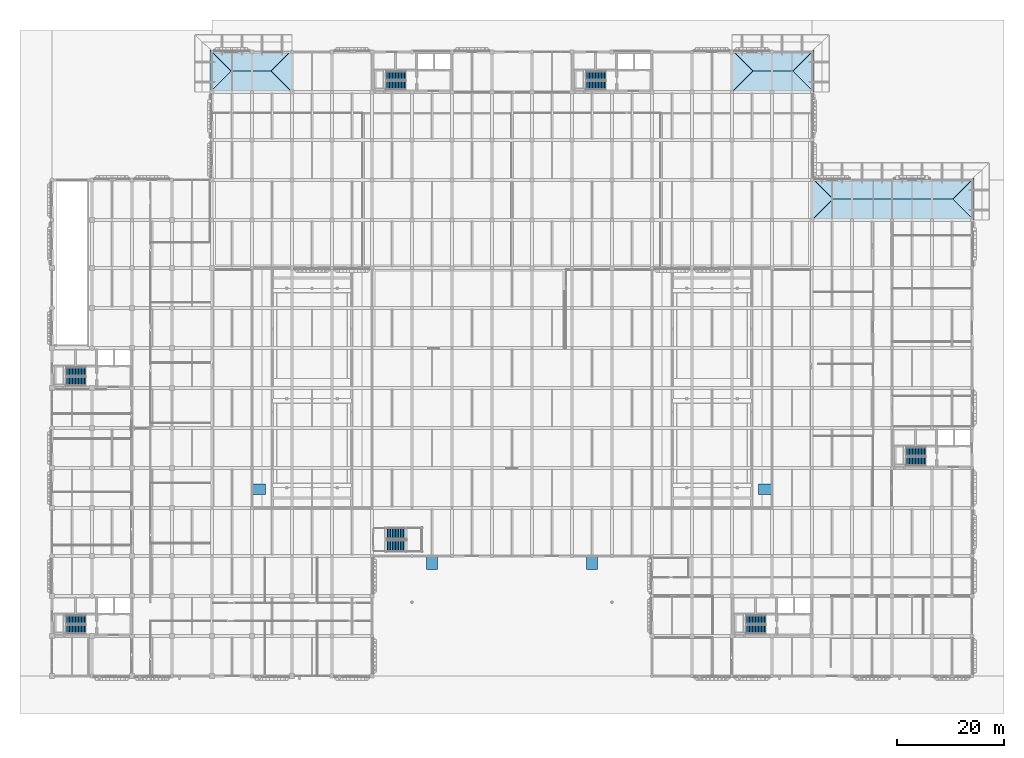
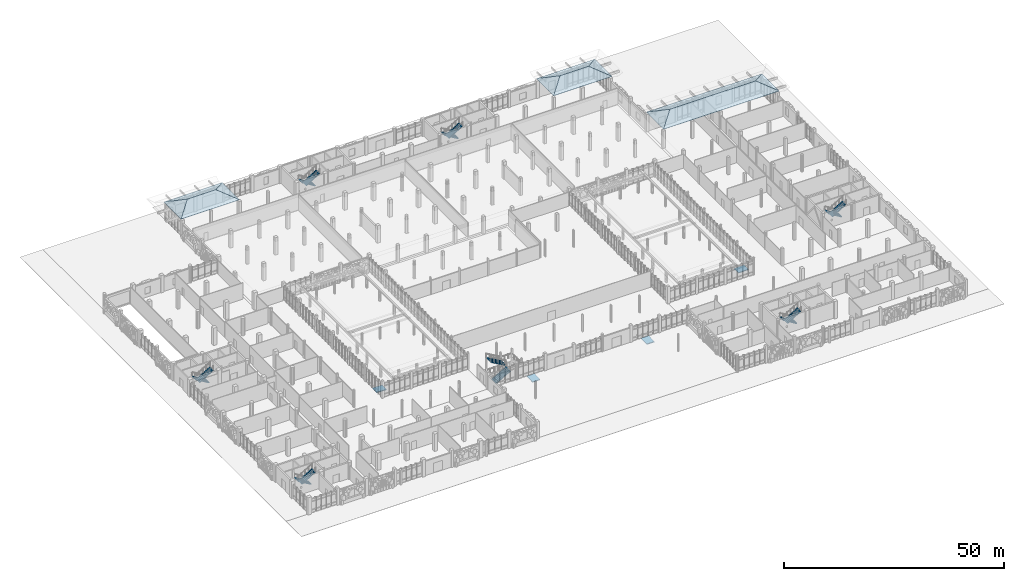
# One storey, part 100 of 125: 14 stair flights, 12 roofs, 4 ramp flights, 11 elements without a shape of their own.
"""IFC4 building model written with IfcOpenShell, lengths in metres."""

from ifc_helpers import new_model, si_unit, direction, frame, origin, place, context, subcontext, project, spatial, polyline, outline, extrude, material, layer, layer_set, type_object, element, aggregate, save


model = new_model("IFC4")

# Units and contexts
model_context = context("Model", 3, precision=1e-05, world=origin(), true_north=direction((0.0, 1.0)))
body_context = subcontext(model_context, "Body", "Model", "MODEL_VIEW")
ifc_project = project(units=[si_unit("LENGTHUNIT", "METRE"), si_unit("AREAUNIT", "SQUARE_METRE"), si_unit("VOLUMEUNIT", "CUBIC_METRE"), si_unit("PLANEANGLEUNIT", "RADIAN"), si_unit("MASSUNIT", "GRAM", prefix="KILO")], contexts=[model_context])

# Site, building, storey
site_placement = place(None, origin())
site = spatial("IfcSite", under=ifc_project, at=site_placement, CompositionType="ELEMENT")
building_placement = place(site_placement, origin())
building = spatial("IfcBuilding", under=site, at=building_placement, Name="Dalvernix Boulevard General Hospital", CompositionType="ELEMENT")
storey_placement = place(building_placement, origin())
storey = spatial("IfcBuildingStorey", under=building, at=storey_placement, Name="L00", CompositionType="ELEMENT", Elevation=0.0)

# Stair, stair flights
ifc_material_1 = material(Name="Precast concrete C40/50", Category="concrete")
stair_type_1 = type_object("IfcStairType", Name="IFCSTAIR-STC-165x480", PredefinedType="HALF_TURN_STAIR", material=ifc_material_1)
stair_1_placement = place(storey_placement, origin())
stair_1 = element("IfcStair", 1, at=stair_1_placement, inside=storey, type_object=stair_type_1, Name="L00 Core C1 Exit Stair ST-01", PredefinedType="HALF_TURN_STAIR")
stair_flight_type_1 = type_object("IfcStairFlightType", Name="IFCSTAIRFLIGHT-STF-165x480", PredefinedType="STRAIGHT", material=ifc_material_1)
stair_flight_1_placement = place(storey_placement, frame((6.35009765625, 10.574951171875, 0.0), z_axis=(0.0, 0.0, 1.0), x_axis=(-1.0, 0.0, 0.0)))
stair_flight_1 = element("IfcStairFlight", 2, at=stair_flight_1_placement, type_object=stair_flight_type_1, Name="ST-01 flight 1", NumberOfRisers=14, NumberOfTreads=13, PredefinedType="STRAIGHT", RiserHeight=0.171428571, TreadLength=0.28, context=body_context, shape_type="SweptSolid", body=[
    extrude(outline(polyline([(0.0, 0.0), (0.0, 0.17138671875), (0.280029296875, 0.17138671875), (0.280029296875, 0.3427734375), (0.56005859375, 0.3427734375), (0.56005859375, 0.514404296875), (0.840087890625, 0.514404296875), (0.840087890625, 0.685791015625), (1.1201171875, 0.685791015625), (1.1201171875, 0.857177734375), (1.39990234375, 0.857177734375), (1.39990234375, 1.028564453125), (1.679931640625, 1.028564453125), (1.679931640625, 1.199951171875), (1.9599609375, 1.199951171875), (1.9599609375, 1.371337890625), (2.239990234375, 1.371337890625), (2.239990234375, 1.54296875), (2.52001953125, 1.54296875), (2.52001953125, 1.71435546875), (2.800048828125, 1.71435546875), (2.800048828125, 1.8857421875), (3.080078125, 1.8857421875), (3.080078125, 2.05712890625), (3.360107421875, 2.05712890625), (3.360107421875, 2.228515625), (3.639892578125, 2.228515625), (3.639892578125, 2.39990234375), (3.639892578125, 2.052734375), (0.287109375, 0.0), (0.0, 0.0)])), frame((0.0, 0.824951171875, 0.0), z_axis=(0.0, -1.0, 0.0), x_axis=(1.0, 0.0, 0.0)), (0.0, 0.0, 1.0), 1.64990234375),
])
stair_flight_2_placement = place(storey_placement, frame((2.7099609375, 8.72509765625, 2.39990234375), z_axis=(0.0, 0.0, 1.0), x_axis=(1.0, 0.0, 0.0)))
stair_flight_2 = element("IfcStairFlight", 3, at=stair_flight_2_placement, type_object=stair_flight_type_1, Name="ST-01 flight 2", NumberOfRisers=14, NumberOfTreads=13, PredefinedType="STRAIGHT", RiserHeight=0.171428571, TreadLength=0.28, context=body_context, shape_type="SweptSolid", body=[
    extrude(outline(polyline([(0.0, 0.0), (0.0, 0.17138671875), (0.280029296875, 0.17138671875), (0.280029296875, 0.3427734375), (0.56005859375, 0.3427734375), (0.56005859375, 0.514404296875), (0.840087890625, 0.514404296875), (0.840087890625, 0.685791015625), (1.1201171875, 0.685791015625), (1.1201171875, 0.857177734375), (1.39990234375, 0.857177734375), (1.39990234375, 1.028564453125), (1.679931640625, 1.028564453125), (1.679931640625, 1.199951171875), (1.9599609375, 1.199951171875), (1.9599609375, 1.371337890625), (2.239990234375, 1.371337890625), (2.239990234375, 1.54296875), (2.52001953125, 1.54296875), (2.52001953125, 1.71435546875), (2.800048828125, 1.71435546875), (2.800048828125, 1.8857421875), (3.080078125, 1.8857421875), (3.080078125, 2.05712890625), (3.360107421875, 2.05712890625), (3.360107421875, 2.228515625), (3.639892578125, 2.228515625), (3.639892578125, 2.39990234375), (3.639892578125, 2.052734375), (0.287109375, 0.0), (0.0, 0.0)])), frame((0.0, 0.824951171875, 0.0), z_axis=(0.0, -1.0, 0.0), x_axis=(1.0, 0.0, 0.0)), (0.0, 0.0, 1.0), 1.64990234375),
])
aggregate(stair_1, [stair_flight_1, stair_flight_2])

stair_2_placement = place(storey_placement, origin())
stair_2 = element("IfcStair", 4, at=stair_2_placement, inside=storey, type_object=stair_type_1, Name="L00 Core C2 Exit Stair ST-02", PredefinedType="HALF_TURN_STAIR")
stair_flight_3_placement = place(storey_placement, frame((6.35009765625, 57.074951171875, 0.0), z_axis=(0.0, 0.0, 1.0), x_axis=(-1.0, 0.0, 0.0)))
stair_flight_3 = element("IfcStairFlight", 5, at=stair_flight_3_placement, type_object=stair_flight_type_1, Name="ST-02 flight 1", NumberOfRisers=14, NumberOfTreads=13, PredefinedType="STRAIGHT", RiserHeight=0.171428571, TreadLength=0.28, context=body_context, shape_type="SweptSolid", body=[
    extrude(outline(polyline([(0.0, 0.0), (0.0, 0.17138671875), (0.280029296875, 0.17138671875), (0.280029296875, 0.3427734375), (0.56005859375, 0.3427734375), (0.56005859375, 0.514404296875), (0.840087890625, 0.514404296875), (0.840087890625, 0.685791015625), (1.1201171875, 0.685791015625), (1.1201171875, 0.857177734375), (1.39990234375, 0.857177734375), (1.39990234375, 1.028564453125), (1.679931640625, 1.028564453125), (1.679931640625, 1.199951171875), (1.9599609375, 1.199951171875), (1.9599609375, 1.371337890625), (2.239990234375, 1.371337890625), (2.239990234375, 1.54296875), (2.52001953125, 1.54296875), (2.52001953125, 1.71435546875), (2.800048828125, 1.71435546875), (2.800048828125, 1.8857421875), (3.080078125, 1.8857421875), (3.080078125, 2.05712890625), (3.360107421875, 2.05712890625), (3.360107421875, 2.228515625), (3.639892578125, 2.228515625), (3.639892578125, 2.39990234375), (3.639892578125, 2.052734375), (0.287109375, 0.0), (0.0, 0.0)])), frame((0.0, 0.824951171875, 0.0), z_axis=(0.0, -1.0, 0.0), x_axis=(1.0, 0.0, 0.0)), (0.0, 0.0, 1.0), 1.64990234375),
])
stair_flight_4_placement = place(storey_placement, frame((2.7099609375, 55.22509765625, 2.39990234375), z_axis=(0.0, 0.0, 1.0), x_axis=(1.0, 0.0, 0.0)))
stair_flight_4 = element("IfcStairFlight", 6, at=stair_flight_4_placement, type_object=stair_flight_type_1, Name="ST-02 flight 2", NumberOfRisers=14, NumberOfTreads=13, PredefinedType="STRAIGHT", RiserHeight=0.171428571, TreadLength=0.28, context=body_context, shape_type="SweptSolid", body=[
    extrude(outline(polyline([(0.0, 0.0), (0.0, 0.17138671875), (0.280029296875, 0.17138671875), (0.280029296875, 0.3427734375), (0.56005859375, 0.3427734375), (0.56005859375, 0.514404296875), (0.840087890625, 0.514404296875), (0.840087890625, 0.685791015625), (1.1201171875, 0.685791015625), (1.1201171875, 0.857177734375), (1.39990234375, 0.857177734375), (1.39990234375, 1.028564453125), (1.679931640625, 1.028564453125), (1.679931640625, 1.199951171875), (1.9599609375, 1.199951171875), (1.9599609375, 1.371337890625), (2.239990234375, 1.371337890625), (2.239990234375, 1.54296875), (2.52001953125, 1.54296875), (2.52001953125, 1.71435546875), (2.800048828125, 1.71435546875), (2.800048828125, 1.8857421875), (3.080078125, 1.8857421875), (3.080078125, 2.05712890625), (3.360107421875, 2.05712890625), (3.360107421875, 2.228515625), (3.639892578125, 2.228515625), (3.639892578125, 2.39990234375), (3.639892578125, 2.052734375), (0.287109375, 0.0), (0.0, 0.0)])), frame((0.0, 0.824951171875, 0.0), z_axis=(0.0, -1.0, 0.0), x_axis=(1.0, 0.0, 0.0)), (0.0, 0.0, 1.0), 1.64990234375),
])
aggregate(stair_2, [stair_flight_3, stair_flight_4])

stair_3_placement = place(storey_placement, origin())
stair_3 = element("IfcStair", 7, at=stair_3_placement, inside=storey, type_object=stair_type_1, Name="L00 Core C3 Exit Stair ST-03", PredefinedType="HALF_TURN_STAIR")
stair_flight_5_placement = place(storey_placement, frame((66.35009765625, 112.574951171875, 0.0), z_axis=(0.0, 0.0, 1.0), x_axis=(-1.0, 0.0, 0.0)))
stair_flight_5 = element("IfcStairFlight", 8, at=stair_flight_5_placement, type_object=stair_flight_type_1, Name="ST-03 flight 1", NumberOfRisers=14, NumberOfTreads=13, PredefinedType="STRAIGHT", RiserHeight=0.171428571, TreadLength=0.28, context=body_context, shape_type="SweptSolid", body=[
    extrude(outline(polyline([(0.0, 0.0), (0.0, 0.17138671875), (0.280029296875, 0.17138671875), (0.280029296875, 0.3427734375), (0.56005859375, 0.3427734375), (0.56005859375, 0.514404296875), (0.840087890625, 0.514404296875), (0.840087890625, 0.685791015625), (1.1201171875, 0.685791015625), (1.1201171875, 0.857177734375), (1.39990234375, 0.857177734375), (1.39990234375, 1.028564453125), (1.679931640625, 1.028564453125), (1.679931640625, 1.199951171875), (1.9599609375, 1.199951171875), (1.9599609375, 1.371337890625), (2.239990234375, 1.371337890625), (2.239990234375, 1.54296875), (2.52001953125, 1.54296875), (2.52001953125, 1.71435546875), (2.800048828125, 1.71435546875), (2.800048828125, 1.8857421875), (3.080078125, 1.8857421875), (3.080078125, 2.05712890625), (3.360107421875, 2.05712890625), (3.360107421875, 2.228515625), (3.639892578125, 2.228515625), (3.639892578125, 2.39990234375), (3.639892578125, 2.052734375), (0.287109375, 0.0), (0.0, 0.0)])), frame((0.0, 0.824951171875, 0.0), z_axis=(0.0, -1.0, 0.0), x_axis=(1.0, 0.0, 0.0)), (0.0, 0.0, 1.0), 1.64990234375),
])
stair_flight_6_placement = place(storey_placement, frame((62.7099609375, 110.72509765625, 2.39990234375), z_axis=(0.0, 0.0, 1.0), x_axis=(1.0, 0.0, 0.0)))
stair_flight_6 = element("IfcStairFlight", 9, at=stair_flight_6_placement, type_object=stair_flight_type_1, Name="ST-03 flight 2", NumberOfRisers=14, NumberOfTreads=13, PredefinedType="STRAIGHT", RiserHeight=0.171428571, TreadLength=0.28, context=body_context, shape_type="SweptSolid", body=[
    extrude(outline(polyline([(0.0, 0.0), (0.0, 0.17138671875), (0.280029296875, 0.17138671875), (0.280029296875, 0.3427734375), (0.56005859375, 0.3427734375), (0.56005859375, 0.514404296875), (0.840087890625, 0.514404296875), (0.840087890625, 0.685791015625), (1.1201171875, 0.685791015625), (1.1201171875, 0.857177734375), (1.39990234375, 0.857177734375), (1.39990234375, 1.028564453125), (1.679931640625, 1.028564453125), (1.679931640625, 1.199951171875), (1.9599609375, 1.199951171875), (1.9599609375, 1.371337890625), (2.239990234375, 1.371337890625), (2.239990234375, 1.54296875), (2.52001953125, 1.54296875), (2.52001953125, 1.71435546875), (2.800048828125, 1.71435546875), (2.800048828125, 1.8857421875), (3.080078125, 1.8857421875), (3.080078125, 2.05712890625), (3.360107421875, 2.05712890625), (3.360107421875, 2.228515625), (3.639892578125, 2.228515625), (3.639892578125, 2.39990234375), (3.639892578125, 2.052734375), (0.287109375, 0.0), (0.0, 0.0)])), frame((0.0, 0.824951171875, 0.0), z_axis=(0.0, -1.0, 0.0), x_axis=(1.0, 0.0, 0.0)), (0.0, 0.0, 1.0), 1.64990234375),
])
aggregate(stair_3, [stair_flight_5, stair_flight_6])

stair_4_placement = place(storey_placement, origin())
stair_4 = element("IfcStair", 10, at=stair_4_placement, inside=storey, type_object=stair_type_1, Name="L00 Core C4 Exit Stair ST-04", PredefinedType="HALF_TURN_STAIR")
stair_flight_7_placement = place(storey_placement, frame((103.85009765625, 112.574951171875, 0.0), z_axis=(0.0, 0.0, 1.0), x_axis=(-1.0, 0.0, 0.0)))
stair_flight_7 = element("IfcStairFlight", 11, at=stair_flight_7_placement, type_object=stair_flight_type_1, Name="ST-04 flight 1", NumberOfRisers=14, NumberOfTreads=13, PredefinedType="STRAIGHT", RiserHeight=0.171428571, TreadLength=0.28, context=body_context, shape_type="SweptSolid", body=[
    extrude(outline(polyline([(0.0, 0.0), (0.0, 0.17138671875), (0.280029296875, 0.17138671875), (0.280029296875, 0.3427734375), (0.56005859375, 0.3427734375), (0.56005859375, 0.514404296875), (0.840087890625, 0.514404296875), (0.840087890625, 0.685791015625), (1.1201171875, 0.685791015625), (1.1201171875, 0.857177734375), (1.39990234375, 0.857177734375), (1.39990234375, 1.028564453125), (1.679931640625, 1.028564453125), (1.679931640625, 1.199951171875), (1.9599609375, 1.199951171875), (1.9599609375, 1.371337890625), (2.239990234375, 1.371337890625), (2.239990234375, 1.54296875), (2.52001953125, 1.54296875), (2.52001953125, 1.71435546875), (2.800048828125, 1.71435546875), (2.800048828125, 1.8857421875), (3.080078125, 1.8857421875), (3.080078125, 2.05712890625), (3.360107421875, 2.05712890625), (3.360107421875, 2.228515625), (3.639892578125, 2.228515625), (3.639892578125, 2.39990234375), (3.639892578125, 2.052734375), (0.287109375, 0.0), (0.0, 0.0)])), frame((0.0, 0.824951171875, 0.0), z_axis=(0.0, -1.0, 0.0), x_axis=(1.0, 0.0, 0.0)), (0.0, 0.0, 1.0), 1.64990234375),
])
stair_flight_8_placement = place(storey_placement, frame((100.2099609375, 110.72509765625, 2.39990234375), z_axis=(0.0, 0.0, 1.0), x_axis=(1.0, 0.0, 0.0)))
stair_flight_8 = element("IfcStairFlight", 12, at=stair_flight_8_placement, type_object=stair_flight_type_1, Name="ST-04 flight 2", NumberOfRisers=14, NumberOfTreads=13, PredefinedType="STRAIGHT", RiserHeight=0.171428571, TreadLength=0.28, context=body_context, shape_type="SweptSolid", body=[
    extrude(outline(polyline([(0.0, 0.0), (0.0, 0.17138671875), (0.280029296875, 0.17138671875), (0.280029296875, 0.3427734375), (0.56005859375, 0.3427734375), (0.56005859375, 0.514404296875), (0.840087890625, 0.514404296875), (0.840087890625, 0.685791015625), (1.1201171875, 0.685791015625), (1.1201171875, 0.857177734375), (1.39990234375, 0.857177734375), (1.39990234375, 1.028564453125), (1.679931640625, 1.028564453125), (1.679931640625, 1.199951171875), (1.9599609375, 1.199951171875), (1.9599609375, 1.371337890625), (2.239990234375, 1.371337890625), (2.239990234375, 1.54296875), (2.52001953125, 1.54296875), (2.52001953125, 1.71435546875), (2.800048828125, 1.71435546875), (2.800048828125, 1.8857421875), (3.080078125, 1.8857421875), (3.080078125, 2.05712890625), (3.360107421875, 2.05712890625), (3.360107421875, 2.228515625), (3.639892578125, 2.228515625), (3.639892578125, 2.39990234375), (3.639892578125, 2.052734375), (0.287109375, 0.0), (0.0, 0.0)])), frame((0.0, 0.824951171875, 0.0), z_axis=(0.0, -1.0, 0.0), x_axis=(1.0, 0.0, 0.0)), (0.0, 0.0, 1.0), 1.64990234375),
])
aggregate(stair_4, [stair_flight_7, stair_flight_8])

stair_5_placement = place(storey_placement, origin())
stair_5 = element("IfcStair", 13, at=stair_5_placement, inside=storey, type_object=stair_type_1, Name="L00 Core C5 Exit Stair ST-05", PredefinedType="HALF_TURN_STAIR")
stair_flight_9_placement = place(storey_placement, frame((133.85009765625, 10.574951171875, 0.0), z_axis=(0.0, 0.0, 1.0), x_axis=(-1.0, 0.0, 0.0)))
stair_flight_9 = element("IfcStairFlight", 14, at=stair_flight_9_placement, type_object=stair_flight_type_1, Name="ST-05 flight 1", NumberOfRisers=14, NumberOfTreads=13, PredefinedType="STRAIGHT", RiserHeight=0.171428571, TreadLength=0.28, context=body_context, shape_type="SweptSolid", body=[
    extrude(outline(polyline([(0.0, 0.0), (0.0, 0.17138671875), (0.280029296875, 0.17138671875), (0.280029296875, 0.3427734375), (0.56005859375, 0.3427734375), (0.56005859375, 0.514404296875), (0.840087890625, 0.514404296875), (0.840087890625, 0.685791015625), (1.1201171875, 0.685791015625), (1.1201171875, 0.857177734375), (1.39990234375, 0.857177734375), (1.39990234375, 1.028564453125), (1.679931640625, 1.028564453125), (1.679931640625, 1.199951171875), (1.9599609375, 1.199951171875), (1.9599609375, 1.371337890625), (2.239990234375, 1.371337890625), (2.239990234375, 1.54296875), (2.52001953125, 1.54296875), (2.52001953125, 1.71435546875), (2.800048828125, 1.71435546875), (2.800048828125, 1.8857421875), (3.080078125, 1.8857421875), (3.080078125, 2.05712890625), (3.360107421875, 2.05712890625), (3.360107421875, 2.228515625), (3.639892578125, 2.228515625), (3.639892578125, 2.39990234375), (3.639892578125, 2.052734375), (0.287109375, 0.0), (0.0, 0.0)])), frame((0.0, 0.824951171875, 0.0), z_axis=(0.0, -1.0, 0.0), x_axis=(1.0, 0.0, 0.0)), (0.0, 0.0, 1.0), 1.64990234375),
])
stair_flight_10_placement = place(storey_placement, frame((130.2099609375, 8.72509765625, 2.39990234375), z_axis=(0.0, 0.0, 1.0), x_axis=(1.0, 0.0, 0.0)))
stair_flight_10 = element("IfcStairFlight", 15, at=stair_flight_10_placement, type_object=stair_flight_type_1, Name="ST-05 flight 2", NumberOfRisers=14, NumberOfTreads=13, PredefinedType="STRAIGHT", RiserHeight=0.171428571, TreadLength=0.28, context=body_context, shape_type="SweptSolid", body=[
    extrude(outline(polyline([(0.0, 0.0), (0.0, 0.17138671875), (0.280029296875, 0.17138671875), (0.280029296875, 0.3427734375), (0.56005859375, 0.3427734375), (0.56005859375, 0.514404296875), (0.840087890625, 0.514404296875), (0.840087890625, 0.685791015625), (1.1201171875, 0.685791015625), (1.1201171875, 0.857177734375), (1.39990234375, 0.857177734375), (1.39990234375, 1.028564453125), (1.679931640625, 1.028564453125), (1.679931640625, 1.199951171875), (1.9599609375, 1.199951171875), (1.9599609375, 1.371337890625), (2.239990234375, 1.371337890625), (2.239990234375, 1.54296875), (2.52001953125, 1.54296875), (2.52001953125, 1.71435546875), (2.800048828125, 1.71435546875), (2.800048828125, 1.8857421875), (3.080078125, 1.8857421875), (3.080078125, 2.05712890625), (3.360107421875, 2.05712890625), (3.360107421875, 2.228515625), (3.639892578125, 2.228515625), (3.639892578125, 2.39990234375), (3.639892578125, 2.052734375), (0.287109375, 0.0), (0.0, 0.0)])), frame((0.0, 0.824951171875, 0.0), z_axis=(0.0, -1.0, 0.0), x_axis=(1.0, 0.0, 0.0)), (0.0, 0.0, 1.0), 1.64990234375),
])
aggregate(stair_5, [stair_flight_9, stair_flight_10])

stair_6_placement = place(storey_placement, origin())
stair_6 = element("IfcStair", 16, at=stair_6_placement, inside=storey, type_object=stair_type_1, Name="L00 Core C6 Exit Stair ST-06", PredefinedType="HALF_TURN_STAIR")
stair_flight_11_placement = place(storey_placement, frame((163.85009765625, 42.074951171875, 0.0), z_axis=(0.0, 0.0, 1.0), x_axis=(-1.0, 0.0, 0.0)))
stair_flight_11 = element("IfcStairFlight", 17, at=stair_flight_11_placement, type_object=stair_flight_type_1, Name="ST-06 flight 1", NumberOfRisers=14, NumberOfTreads=13, PredefinedType="STRAIGHT", RiserHeight=0.171428571, TreadLength=0.28, context=body_context, shape_type="SweptSolid", body=[
    extrude(outline(polyline([(0.0, 0.0), (0.0, 0.17138671875), (0.280029296875, 0.17138671875), (0.280029296875, 0.3427734375), (0.56005859375, 0.3427734375), (0.56005859375, 0.514404296875), (0.840087890625, 0.514404296875), (0.840087890625, 0.685791015625), (1.1201171875, 0.685791015625), (1.1201171875, 0.857177734375), (1.39990234375, 0.857177734375), (1.39990234375, 1.028564453125), (1.679931640625, 1.028564453125), (1.679931640625, 1.199951171875), (1.9599609375, 1.199951171875), (1.9599609375, 1.371337890625), (2.239990234375, 1.371337890625), (2.239990234375, 1.54296875), (2.52001953125, 1.54296875), (2.52001953125, 1.71435546875), (2.800048828125, 1.71435546875), (2.800048828125, 1.8857421875), (3.080078125, 1.8857421875), (3.080078125, 2.05712890625), (3.360107421875, 2.05712890625), (3.360107421875, 2.228515625), (3.639892578125, 2.228515625), (3.639892578125, 2.39990234375), (3.639892578125, 2.052734375), (0.287109375, 0.0), (0.0, 0.0)])), frame((0.0, 0.824951171875, 0.0), z_axis=(0.0, -1.0, 0.0), x_axis=(1.0, 0.0, 0.0)), (0.0, 0.0, 1.0), 1.64990234375),
])
stair_flight_12_placement = place(storey_placement, frame((160.2099609375, 40.22509765625, 2.39990234375), z_axis=(0.0, 0.0, 1.0), x_axis=(1.0, 0.0, 0.0)))
stair_flight_12 = element("IfcStairFlight", 18, at=stair_flight_12_placement, type_object=stair_flight_type_1, Name="ST-06 flight 2", NumberOfRisers=14, NumberOfTreads=13, PredefinedType="STRAIGHT", RiserHeight=0.171428571, TreadLength=0.28, context=body_context, shape_type="SweptSolid", body=[
    extrude(outline(polyline([(0.0, 0.0), (0.0, 0.17138671875), (0.280029296875, 0.17138671875), (0.280029296875, 0.3427734375), (0.56005859375, 0.3427734375), (0.56005859375, 0.514404296875), (0.840087890625, 0.514404296875), (0.840087890625, 0.685791015625), (1.1201171875, 0.685791015625), (1.1201171875, 0.857177734375), (1.39990234375, 0.857177734375), (1.39990234375, 1.028564453125), (1.679931640625, 1.028564453125), (1.679931640625, 1.199951171875), (1.9599609375, 1.199951171875), (1.9599609375, 1.371337890625), (2.239990234375, 1.371337890625), (2.239990234375, 1.54296875), (2.52001953125, 1.54296875), (2.52001953125, 1.71435546875), (2.800048828125, 1.71435546875), (2.800048828125, 1.8857421875), (3.080078125, 1.8857421875), (3.080078125, 2.05712890625), (3.360107421875, 2.05712890625), (3.360107421875, 2.228515625), (3.639892578125, 2.228515625), (3.639892578125, 2.39990234375), (3.639892578125, 2.052734375), (0.287109375, 0.0), (0.0, 0.0)])), frame((0.0, 0.824951171875, 0.0), z_axis=(0.0, -1.0, 0.0), x_axis=(1.0, 0.0, 0.0)), (0.0, 0.0, 1.0), 1.64990234375),
])
aggregate(stair_6, [stair_flight_11, stair_flight_12])

stair_type_2 = type_object("IfcStairType", Name="IFCSTAIR-STC-205x480", PredefinedType="HALF_TURN_STAIR", material=ifc_material_1)
stair_7_placement = place(storey_placement, origin())
stair_7 = element("IfcStair", 19, at=stair_7_placement, inside=storey, type_object=stair_type_2, Name="L00 Arrival Hall Monumental Stair ST-07", PredefinedType="HALF_TURN_STAIR")
stair_flight_type_2 = type_object("IfcStairFlightType", Name="IFCSTAIRFLIGHT-STF-205x480", PredefinedType="STRAIGHT", material=ifc_material_1)
stair_flight_13_placement = place(storey_placement, frame((62.60009765625, 24.375, 0.0), z_axis=(0.0, 0.0, 1.0), x_axis=(1.0, 0.0, 0.0)))
stair_flight_13 = element("IfcStairFlight", 20, at=stair_flight_13_placement, type_object=stair_flight_type_2, Name="ST-07 flight 1", NumberOfRisers=14, NumberOfTreads=13, PredefinedType="STRAIGHT", RiserHeight=0.171428571, TreadLength=0.3, context=body_context, shape_type="SweptSolid", body=[
    extrude(outline(polyline([(0.0, 0.0), (0.0, 0.17138671875), (0.300048828125, 0.17138671875), (0.300048828125, 0.3427734375), (0.60009765625, 0.3427734375), (0.60009765625, 0.514404296875), (0.89990234375, 0.514404296875), (0.89990234375, 0.685791015625), (1.199951171875, 0.685791015625), (1.199951171875, 0.857177734375), (1.5, 0.857177734375), (1.5, 1.028564453125), (1.800048828125, 1.028564453125), (1.800048828125, 1.199951171875), (2.10009765625, 1.199951171875), (2.10009765625, 1.371337890625), (2.39990234375, 1.371337890625), (2.39990234375, 1.54296875), (2.699951171875, 1.54296875), (2.699951171875, 1.71435546875), (3.0, 1.71435546875), (3.0, 1.8857421875), (3.300048828125, 1.8857421875), (3.300048828125, 2.05712890625), (3.60009765625, 2.05712890625), (3.60009765625, 2.228515625), (3.89990234375, 2.228515625), (3.89990234375, 2.39990234375), (3.89990234375, 2.055908203125), (0.30224609375, 0.0), (0.0, 0.0)])), frame((0.0, 1.02490234375, 0.0), z_axis=(0.0, -1.0, 0.0), x_axis=(1.0, 0.0, 0.0)), (0.0, 0.0, 1.0), 2.050048828125),
])
stair_flight_14_placement = place(storey_placement, frame((66.5, 26.72509765625, 2.39990234375), z_axis=(0.0, 0.0, 1.0), x_axis=(-1.0, 0.0, 0.0)))
stair_flight_14 = element("IfcStairFlight", 21, at=stair_flight_14_placement, type_object=stair_flight_type_2, Name="ST-07 flight 2", NumberOfRisers=14, NumberOfTreads=13, PredefinedType="STRAIGHT", RiserHeight=0.171428571, TreadLength=0.3, context=body_context, shape_type="SweptSolid", body=[
    extrude(outline(polyline([(0.0, 0.0), (0.0, 0.17138671875), (0.300048828125, 0.17138671875), (0.300048828125, 0.3427734375), (0.60009765625, 0.3427734375), (0.60009765625, 0.514404296875), (0.89990234375, 0.514404296875), (0.89990234375, 0.685791015625), (1.199951171875, 0.685791015625), (1.199951171875, 0.857177734375), (1.5, 0.857177734375), (1.5, 1.028564453125), (1.800048828125, 1.028564453125), (1.800048828125, 1.199951171875), (2.10009765625, 1.199951171875), (2.10009765625, 1.371337890625), (2.39990234375, 1.371337890625), (2.39990234375, 1.54296875), (2.699951171875, 1.54296875), (2.699951171875, 1.71435546875), (3.0, 1.71435546875), (3.0, 1.8857421875), (3.300048828125, 1.8857421875), (3.300048828125, 2.05712890625), (3.60009765625, 2.05712890625), (3.60009765625, 2.228515625), (3.89990234375, 2.228515625), (3.89990234375, 2.39990234375), (3.89990234375, 2.055908203125), (0.30224609375, 0.0), (0.0, 0.0)])), frame((0.0, 1.02490234375, 0.0), z_axis=(0.0, -1.0, 0.0), x_axis=(1.0, 0.0, 0.0)), (0.0, 0.0, 1.0), 2.050048828125),
])
aggregate(stair_7, [stair_flight_13, stair_flight_14])

# Ramp, ramp flight
ifc_material_2 = material(Name="Concrete C35/45", Category="concrete")
ramp_type = type_object("IfcRampType", Name="RMP-ACC-01", PredefinedType="STRAIGHT_RUN_RAMP", material=ifc_material_2)
ramp_1_placement = place(storey_placement, origin())
ramp_1 = element("IfcRamp", 22, at=ramp_1_placement, inside=storey, type_object=ramp_type, Name="Accessible pedestrian entrance ramp AR-01", PredefinedType="STRAIGHT_RUN_RAMP")
ifc_layer_1 = layer(ifc_material_2, 0.199951171875)
ifc_layer_set_1 = layer_set([ifc_layer_1], Name="Concrete C35/45 (RMPF-ACC-01)")
ramp_flight_type = type_object("IfcRampFlightType", Name="RMPF-ACC-01", PredefinedType="STRAIGHT", material=ifc_layer_set_1)
ramp_flight_1_placement = place(storey_placement, frame((71.25, 19.949951171875, -0.080078125), z_axis=(0.0, 0.0, 1.0), x_axis=(0.0, 1.0, 0.0)))
ramp_flight_1 = element("IfcRampFlight", 23, at=ramp_flight_1_placement, type_object=ramp_flight_type, Name="Accessible entrance ramp flight AR-01", PredefinedType="STRAIGHT", context=body_context, shape_type="SweptSolid", body=[
    extrude(outline(polyline([(0.0, 0.0), (0.0, -0.199951171875), (2.60009765625, -0.119873046875), (2.60009765625, 0.080078125), (0.0, 0.0)])), frame((0.0, 1.0, 0.0), z_axis=(0.0, -1.0, 0.0), x_axis=(1.0, 0.0, 0.0)), (0.0, 0.0, 1.0), 2.0),
])
aggregate(ramp_1, [ramp_flight_1])

ramp_2_placement = place(storey_placement, origin())
ramp_2 = element("IfcRamp", 24, at=ramp_2_placement, inside=storey, type_object=ramp_type, Name="Accessible pedestrian entrance ramp AR-02", PredefinedType="STRAIGHT_RUN_RAMP")
ramp_flight_2_placement = place(storey_placement, frame((101.25, 19.949951171875, -0.080078125), z_axis=(0.0, 0.0, 1.0), x_axis=(0.0, 1.0, 0.0)))
ramp_flight_2 = element("IfcRampFlight", 25, at=ramp_flight_2_placement, type_object=ramp_flight_type, Name="Accessible entrance ramp flight AR-02", PredefinedType="STRAIGHT", context=body_context, shape_type="SweptSolid", body=[
    extrude(outline(polyline([(0.0, 0.0), (0.0, -0.199951171875), (2.60009765625, -0.119873046875), (2.60009765625, 0.080078125), (0.0, 0.0)])), frame((0.0, 1.0, 0.0), z_axis=(0.0, -1.0, 0.0), x_axis=(1.0, 0.0, 0.0)), (0.0, 0.0, 1.0), 2.0),
])
aggregate(ramp_2, [ramp_flight_2])

ramp_3_placement = place(storey_placement, origin())
ramp_3 = element("IfcRamp", 26, at=ramp_3_placement, inside=storey, type_object=ramp_type, Name="Accessible pedestrian entrance ramp AR-03", PredefinedType="STRAIGHT_RUN_RAMP")
ramp_flight_3_placement = place(storey_placement, frame((40.050048828125, 35.0, -0.080078125), z_axis=(0.0, 0.0, 1.0), x_axis=(-1.0, 0.0, 0.0)))
ramp_flight_3 = element("IfcRampFlight", 27, at=ramp_flight_3_placement, type_object=ramp_flight_type, Name="Accessible entrance ramp flight AR-03", PredefinedType="STRAIGHT", context=body_context, shape_type="SweptSolid", body=[
    extrude(outline(polyline([(0.0, 0.0), (0.0, -0.199951171875), (2.60009765625, -0.119873046875), (2.60009765625, 0.080078125), (0.0, 0.0)])), frame((0.0, 1.0, 0.0), z_axis=(0.0, -1.0, 0.0), x_axis=(1.0, 0.0, 0.0)), (0.0, 0.0, 1.0), 2.0),
])
aggregate(ramp_3, [ramp_flight_3])

ramp_4_placement = place(storey_placement, origin())
ramp_4 = element("IfcRamp", 28, at=ramp_4_placement, inside=storey, type_object=ramp_type, Name="Accessible pedestrian entrance ramp AR-04", PredefinedType="STRAIGHT_RUN_RAMP")
ramp_flight_4_placement = place(storey_placement, frame((132.449951171875, 35.0, -0.080078125), z_axis=(0.0, 0.0, 1.0), x_axis=(1.0, 0.0, 0.0)))
ramp_flight_4 = element("IfcRampFlight", 29, at=ramp_flight_4_placement, type_object=ramp_flight_type, Name="Accessible entrance ramp flight AR-04", PredefinedType="STRAIGHT", context=body_context, shape_type="SweptSolid", body=[
    extrude(outline(polyline([(0.0, 0.0), (0.0, -0.199951171875), (2.60009765625, -0.119873046875), (2.60009765625, 0.080078125), (0.0, 0.0)])), frame((0.0, 1.0, 0.0), z_axis=(0.0, -1.0, 0.0), x_axis=(1.0, 0.0, 0.0)), (0.0, 0.0, 1.0), 2.0),
])
aggregate(ramp_4, [ramp_flight_4])

# Roofs
ifc_material_3 = material(Name="Glazed Catalan terracotta roof tile on timber boarding", Category="masonry")
ifc_layer_2 = layer(ifc_material_3, 0.1201171875)
ifc_layer_set_2 = layer_set([ifc_layer_2], Name="Glazed Catalan terracotta roof tile on timber boarding (ROOF-UPT-01)")
roof_type = type_object("IfcRoofType", Name="ROOF-UPT-01", PredefinedType="HIP_ROOF", material=ifc_layer_set_2)
for number, where, z_axis, x_axis, name in (
    (30, (29.64990234375, 109.5, 5.02587890625), (0.0, -0.413768813054, 0.910381990894), (1.0, 0.0, 0.0), "V3-L00NW steep Catalan terracotta hipped roof S"),
    (31, (45.0, 117.35009765625, 5.02587890625), (0.0, 0.413768813054, 0.910381990894), (-1.0, 0.0, 0.0), "V3-L00NW steep Catalan terracotta hipped roof N"),
):
    element("IfcRoof", number, at=place(storey_placement, frame(where, z_axis=z_axis, x_axis=x_axis)), inside=storey, type_object=roof_type, Name=name, PredefinedType="HIP_ROOF", context=body_context, shape_type="SweptSolid", body=[
        extrude(outline(polyline([(0.0, 0.0), (15.35009765625, 0.0), (11.425048828125, 4.311430660299391), (3.925048828125, 4.311430660299391), (0.0, 0.0)])), origin(), (0.0, 0.0, -1.0), 0.1201171875),
    ])
for number, where, z_axis, x_axis, name in (
    (32, (29.64990234375, 117.35009765625, 5.02587890625), (-0.413768813054, 0.0, 0.910381990894), (0.0, -1.0, 0.0), "V3-L00NW steep Catalan terracotta hipped roof W"),
    (33, (45.0, 109.5, 5.02587890625), (0.413768813054, 0.0, 0.910381990894), (0.0, 1.0, 0.0), "V3-L00NW steep Catalan terracotta hipped roof E"),
):
    element("IfcRoof", number, at=place(storey_placement, frame(where, z_axis=z_axis, x_axis=x_axis)), inside=storey, type_object=roof_type, Name=name, PredefinedType="HIP_ROOF", context=body_context, shape_type="SweptSolid", body=[
        extrude(outline(polyline([(0.0, 0.0), (7.85009765625, 0.0), (3.925048828125, 4.311430660299392), (0.0, 0.0)])), origin(), (0.0, 0.0, -1.0), 0.1201171875),
    ])
for number, where, z_axis, x_axis, name in (
    (34, (127.5, 109.5, 5.02587890625), (0.0, -0.413768813054, 0.910381990894), (1.0, 0.0, 0.0), "V3-L00NE steep Catalan terracotta hipped roof S"),
    (35, (142.85009765625, 117.35009765625, 5.02587890625), (0.0, 0.413768813054, 0.910381990894), (-1.0, 0.0, 0.0), "V3-L00NE steep Catalan terracotta hipped roof N"),
):
    element("IfcRoof", number, at=place(storey_placement, frame(where, z_axis=z_axis, x_axis=x_axis)), inside=storey, type_object=roof_type, Name=name, PredefinedType="HIP_ROOF", context=body_context, shape_type="SweptSolid", body=[
        extrude(outline(polyline([(0.0, 0.0), (15.35009765625, 0.0), (11.425048828125, 4.311430660299391), (3.925048828125, 4.311430660299391), (0.0, 0.0)])), origin(), (0.0, 0.0, -1.0), 0.1201171875),
    ])
for number, where, z_axis, x_axis, name in (
    (36, (127.5, 117.35009765625, 5.02587890625), (-0.413768813054, 0.0, 0.910381990894), (0.0, -1.0, 0.0), "V3-L00NE steep Catalan terracotta hipped roof W"),
    (37, (142.85009765625, 109.5, 5.02587890625), (0.413768813054, 0.0, 0.910381990894), (0.0, 1.0, 0.0), "V3-L00NE steep Catalan terracotta hipped roof E"),
):
    element("IfcRoof", number, at=place(storey_placement, frame(where, z_axis=z_axis, x_axis=x_axis)), inside=storey, type_object=roof_type, Name=name, PredefinedType="HIP_ROOF", context=body_context, shape_type="SweptSolid", body=[
        extrude(outline(polyline([(0.0, 0.0), (7.85009765625, 0.0), (3.925048828125, 4.311430660299392), (0.0, 0.0)])), origin(), (0.0, 0.0, -1.0), 0.1201171875),
    ])
for number, where, z_axis, x_axis, name in (
    (38, (142.5, 85.5, 5.02587890625), (0.0, -0.413768813054, 0.910381990894), (1.0, 0.0, 0.0), "V2-L00N steep Catalan terracotta hipped roof S"),
    (39, (172.85009765625, 93.35009765625, 5.02587890625), (0.0, 0.413768813054, 0.910381990894), (-1.0, 0.0, 0.0), "V2-L00N steep Catalan terracotta hipped roof N"),
):
    element("IfcRoof", number, at=place(storey_placement, frame(where, z_axis=z_axis, x_axis=x_axis)), inside=storey, type_object=roof_type, Name=name, PredefinedType="HIP_ROOF", context=body_context, shape_type="SweptSolid", body=[
        extrude(outline(polyline([(0.0, 0.0), (30.35009765625, 0.0), (26.425048828125, 4.311430660299392), (3.925048828125, 4.311430660299392), (0.0, 0.0)])), origin(), (0.0, 0.0, -1.0), 0.1201171875),
    ])
for number, where, z_axis, x_axis, name in (
    (40, (142.5, 93.35009765625, 5.02587890625), (-0.413768813054, 0.0, 0.910381990894), (0.0, -1.0, 0.0), "V2-L00N steep Catalan terracotta hipped roof W"),
    (41, (172.85009765625, 85.5, 5.02587890625), (0.413768813054, 0.0, 0.910381990894), (0.0, 1.0, 0.0), "V2-L00N steep Catalan terracotta hipped roof E"),
):
    element("IfcRoof", number, at=place(storey_placement, frame(where, z_axis=z_axis, x_axis=x_axis)), inside=storey, type_object=roof_type, Name=name, PredefinedType="HIP_ROOF", context=body_context, shape_type="SweptSolid", body=[
        extrude(outline(polyline([(0.0, 0.0), (7.85009765625, 0.0), (3.925048828125, 4.311430660299392), (0.0, 0.0)])), origin(), (0.0, 0.0, -1.0), 0.1201171875),
    ])

save(model, "model.ifc")
